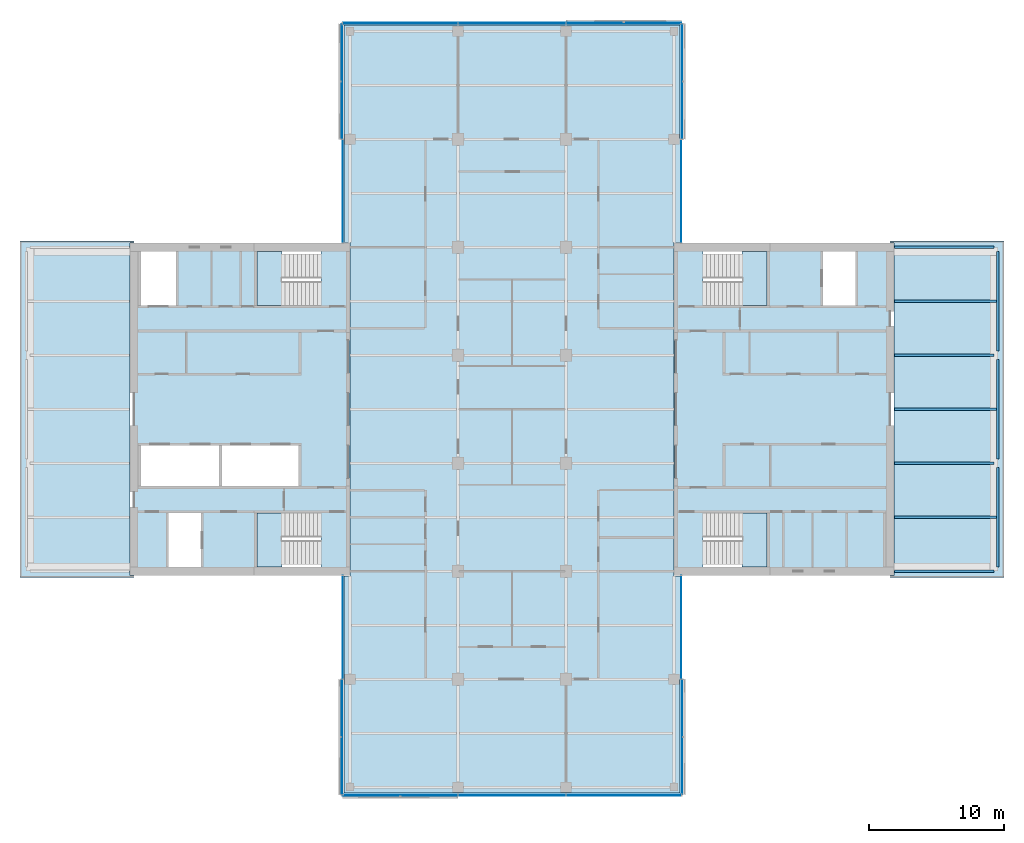
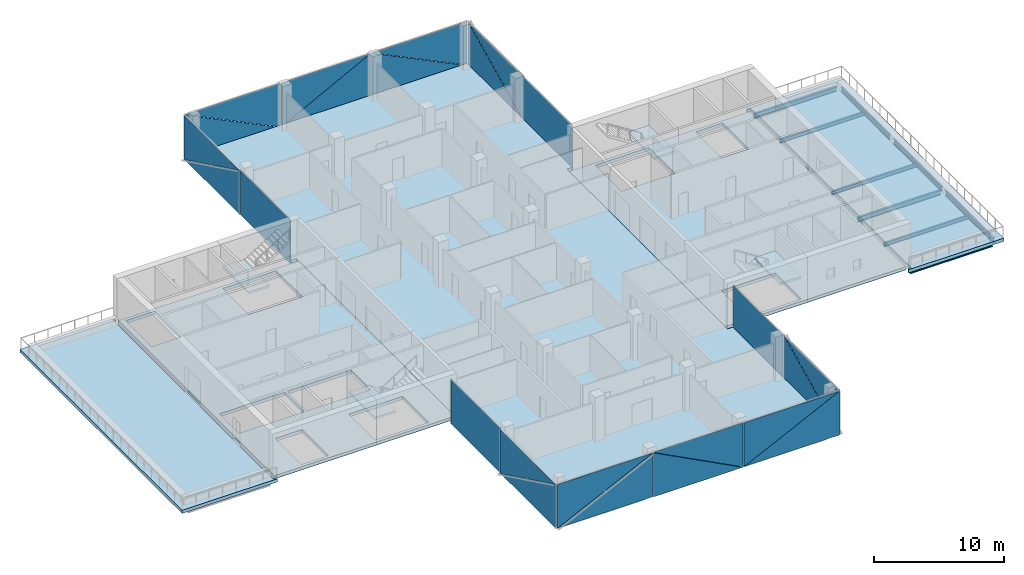
# One storey, part 10 of 18: 24 plates, 10 beams, 9 slabs, 14 elements without a shape of their own.
"""IFC4 building model written with IfcOpenShell, lengths in metres."""

from ifc_helpers import new_model, si_unit, direction, frame, origin, origin_2d, place, context, subcontext, project, spatial, polyline, i_section, outline, extrude, material, layer, layer_set, material_profile, profile_set, type_object, element, aggregate, save


model = new_model("IFC4")

# Units and contexts
model_context = context("Model", 3, precision=1e-05, world=origin(), true_north=direction((0.0, 1.0)))
body_context = subcontext(model_context, "Body", "Model", "MODEL_VIEW")
ifc_project = project(units=[si_unit("LENGTHUNIT", "METRE"), si_unit("AREAUNIT", "SQUARE_METRE"), si_unit("VOLUMEUNIT", "CUBIC_METRE"), si_unit("PLANEANGLEUNIT", "RADIAN"), si_unit("MASSUNIT", "GRAM", prefix="KILO")], contexts=[model_context])

# Site, building, storey
site_placement = place(None, origin())
site = spatial("IfcSite", under=ifc_project, at=site_placement, CompositionType="ELEMENT")
building_placement = place(site_placement, origin())
building = spatial("IfcBuilding", under=site, at=building_placement, Name="Crosswind Convention Tower", CompositionType="ELEMENT")
storey_placement = place(building_placement, frame((0.0, 0.0, 178.89990234375)))
storey = spatial("IfcBuildingStorey", under=building, at=storey_placement, Name="L37", CompositionType="ELEMENT", Elevation=178.89990234375)

# Beams
ifc_material_1 = material(Name="Steel S355", Category="steel")
ifc_material_profile_1 = material_profile(ifc_material_1, i_section(OverallWidth=0.18994140625, OverallDepth=0.45361328125, WebThickness=0.008544921875, FlangeThickness=0.0126953125, FilletRadius=0.01025390625, at=origin_2d()), Name="UB 457x191x67")
ifc_profile_set_1 = profile_set([ifc_material_profile_1], Name="Steel S355")
beam_type_1 = type_object("IfcBeamType", Name="Edge beam UB 457x191x67", PredefinedType="SPANDREL", material=ifc_profile_set_1)
for number, where, z_axis, x_axis, name in (
    (1, (153.35009765625, 88.0, -0.526611328125), (1.0, 0.0, 0.0), (0.0, 1.0, 0.0), "B16 L37 edge beam 20"),
    (2, (153.35009765625, 112.0, -0.526611328125), (1.0, 0.0, 0.0), (0.0, 1.0, 0.0), "B16 L37 edge beam 21"),
):
    element("IfcBeam", number, at=place(storey_placement, frame(where, z_axis=z_axis, x_axis=x_axis)), inside=storey, type_object=beam_type_1, Name=name, PredefinedType="SPANDREL", context=body_context, shape_type="SweptSolid", body=[
        extrude(i_section(OverallWidth=0.18994140625, OverallDepth=0.45361328125, WebThickness=0.008544921875, FlangeThickness=0.0126953125, FilletRadius=0.01025390625, at=origin_2d()), origin(), (0.0, 0.0, 1.0), 7.349853515625),
    ])
for number, where, z_axis, x_axis, name in (
    (3, (161.0, 88.300048828125, -0.526611328125), (0.0, 1.0, 0.0), (-1.0, 0.0, 0.0), "B16 L37 edge beam 22"),
    (4, (161.0, 96.300048828125, -0.526611328125), (0.0, 1.0, 0.0), (-1.0, 0.0, 0.0), "B16 L37 edge beam 23"),
    (5, (161.0, 104.300048828125, -0.526611328125), (0.0, 1.0, 0.0), (-1.0, 0.0, 0.0), "B16 L37 edge beam 24"),
):
    element("IfcBeam", number, at=place(storey_placement, frame(where, z_axis=z_axis, x_axis=x_axis)), inside=storey, type_object=beam_type_1, Name=name, PredefinedType="SPANDREL", context=body_context, shape_type="SweptSolid", body=[
        extrude(i_section(OverallWidth=0.18994140625, OverallDepth=0.45361328125, WebThickness=0.008544921875, FlangeThickness=0.0126953125, FilletRadius=0.01025390625, at=origin_2d()), origin(), (0.0, 0.0, 1.0), 7.39990234375),
    ])
ifc_material_profile_2 = material_profile(ifc_material_1, i_section(OverallWidth=0.19140625, OverallDepth=0.460205078125, WebThickness=0.010009765625, FlangeThickness=0.01611328125, FilletRadius=0.01025390625, at=origin_2d()), Name="UB 457x191x82")
ifc_profile_set_2 = profile_set([ifc_material_profile_2], Name="Steel S355")
beam_type_2 = type_object("IfcBeamType", Name="Girder at core wall UB 457x191x82", PredefinedType="BEAM", material=ifc_profile_set_2)
for number, where, z_axis, x_axis, name in (
    (6, (153.35009765625, 96.0, -0.530029296875), (1.0, 0.0, 0.0), (0.0, 1.0, 0.0), "B23 L37 girder at core wall 11"),
    (7, (153.35009765625, 104.0, -0.530029296875), (1.0, 0.0, 0.0), (0.0, 1.0, 0.0), "B23 L37 girder at core wall 12"),
):
    element("IfcBeam", number, at=place(storey_placement, frame(where, z_axis=z_axis, x_axis=x_axis)), inside=storey, type_object=beam_type_2, Name=name, PredefinedType="BEAM", context=body_context, shape_type="SweptSolid", body=[
        extrude(i_section(OverallWidth=0.19140625, OverallDepth=0.460205078125, WebThickness=0.010009765625, FlangeThickness=0.01611328125, FilletRadius=0.01025390625, at=origin_2d()), origin(), (0.0, 0.0, 1.0), 7.349853515625),
    ])
ifc_material_profile_3 = material_profile(ifc_material_1, i_section(OverallWidth=0.172119140625, OverallDepth=0.358642578125, WebThickness=0.008056640625, FlangeThickness=0.012939453125, FilletRadius=0.01025390625, at=origin_2d()), Name="UB 356x171x57")
ifc_profile_set_3 = profile_set([ifc_material_profile_3], Name="Steel S355")
beam_type_3 = type_object("IfcBeamType", Name="Secondary beam UB 356x171x57", PredefinedType="JOIST", material=ifc_profile_set_3)
for number, where, z_axis, x_axis, name in (
    (8, (153.35009765625, 92.0, -0.479248046875), (1.0, 0.0, 0.0), (0.0, 1.0, 0.0), "B9 L37 secondary beam 25"),
    (9, (153.35009765625, 100.0, -0.479248046875), (1.0, 0.0, 0.0), (0.0, 1.0, 0.0), "B9 L37 secondary beam 26"),
    (10, (153.35009765625, 108.0, -0.479248046875), (1.0, 0.0, 0.0), (0.0, 1.0, 0.0), "B9 L37 secondary beam 27"),
):
    element("IfcBeam", number, at=place(storey_placement, frame(where, z_axis=z_axis, x_axis=x_axis)), inside=storey, type_object=beam_type_3, Name=name, PredefinedType="JOIST", context=body_context, shape_type="SweptSolid", body=[
        extrude(i_section(OverallWidth=0.172119140625, OverallDepth=0.358642578125, WebThickness=0.008056640625, FlangeThickness=0.012939453125, FilletRadius=0.01025390625, at=origin_2d()), origin(), (0.0, 0.0, 1.0), 7.554931640625),
    ])

# Slabs
ifc_material_2 = material(Name="Concrete C40/50", Category="concrete")
ifc_layer_1 = layer(ifc_material_2, 0.300048828125)
ifc_layer_set_1 = layer_set([ifc_layer_1], Name="Concrete C40/50")
slab_type_1 = type_object("IfcSlabType", Name="Composite floor slab 300", PredefinedType="FLOOR", material=ifc_layer_set_1)
slab_1_placement = place(storey_placement, frame((0.0, 0.0, -0.2998046875)))
element("IfcSlab", 11, at=slab_1_placement, inside=storey, type_object=slab_type_1, Name="Floor slab L37", PredefinedType="FLOOR", context=body_context, shape_type="SweptSolid", body=[
    extrude(outline(polyline([(137.449951171875, 71.550048828125), (137.0, 71.550048828125), (113.0, 71.550048828125), (112.550048828125, 71.550048828125), (112.550048828125, 72.0), (112.550048828125, 87.64990234375), (113.0, 87.64990234375), (113.0, 112.35009765625), (112.550048828125, 112.35009765625), (112.550048828125, 128.0), (112.550048828125, 128.449951171875), (113.0, 128.449951171875), (137.0, 128.449951171875), (137.449951171875, 128.449951171875), (137.449951171875, 128.0), (137.449951171875, 112.35009765625), (137.0, 112.35009765625), (137.0, 87.64990234375), (137.449951171875, 87.64990234375), (137.449951171875, 72.0), (137.449951171875, 71.550048828125)])), origin(), (0.0, 0.0, 1.0), 0.2998046875),
])
ifc_layer_2 = layer(ifc_material_2, 0.300048828125)
ifc_layer_set_2 = layer_set([ifc_layer_2], Name="Concrete C40/50")
slab_type_2 = type_object("IfcSlabType", Name="Concrete core floor slab 300", PredefinedType="FLOOR", material=ifc_layer_set_2)
slab_2_placement = place(storey_placement, frame((0.0, 0.0, -0.2998046875)))
element("IfcSlab", 12, at=slab_2_placement, inside=storey, type_object=slab_type_2, Name="Core floor slab E L37", PredefinedType="FLOOR", context=body_context, shape_type="SweptSolid", body=[
    extrude(outline(polyline([(137.0, 88.0), (153.0, 88.0), (153.0, 112.0), (137.0, 112.0), (137.0, 88.0)]), holes=[polyline([(150.449951171875, 107.699951171875), (150.449951171875, 111.699951171875), (148.050048828125, 111.699951171875), (148.050048828125, 107.699951171875), (150.449951171875, 107.699951171875)]), polyline([(143.89990234375, 107.699951171875), (143.89990234375, 111.699951171875), (139.14990234375, 111.699951171875), (139.14990234375, 107.699951171875), (143.89990234375, 107.699951171875)]), polyline([(143.89990234375, 88.300048828125), (143.89990234375, 92.300048828125), (139.14990234375, 92.300048828125), (139.14990234375, 88.300048828125), (143.89990234375, 88.300048828125)])]), origin(), (0.0, 0.0, 1.0), 0.2998046875),
])
slab_3_placement = place(storey_placement, frame((0.0, 0.0, -0.2998046875)))
element("IfcSlab", 13, at=slab_3_placement, inside=storey, type_object=slab_type_2, Name="Core floor slab W L37", PredefinedType="FLOOR", context=body_context, shape_type="SweptSolid", body=[
    extrude(outline(polyline([(97.0, 88.0), (113.0, 88.0), (113.0, 112.0), (97.0, 112.0), (97.0, 88.0)]), holes=[polyline([(109.199951171875, 94.300048828125), (109.199951171875, 97.300048828125), (103.5, 97.300048828125), (103.5, 94.300048828125), (109.199951171875, 94.300048828125)]), polyline([(103.300048828125, 94.300048828125), (103.300048828125, 97.300048828125), (97.5, 97.300048828125), (97.5, 94.300048828125), (103.300048828125, 94.300048828125)]), polyline([(101.949951171875, 88.300048828125), (101.949951171875, 92.300048828125), (99.550048828125, 92.300048828125), (99.550048828125, 88.300048828125), (101.949951171875, 88.300048828125)]), polyline([(100.10009765625, 107.699951171875), (100.10009765625, 111.699951171875), (97.5, 111.699951171875), (97.5, 107.699951171875), (100.10009765625, 107.699951171875)]), polyline([(110.85009765625, 88.300048828125), (110.85009765625, 92.300048828125), (106.10009765625, 92.300048828125), (106.10009765625, 88.300048828125), (110.85009765625, 88.300048828125)]), polyline([(110.85009765625, 107.699951171875), (110.85009765625, 111.699951171875), (106.10009765625, 111.699951171875), (106.10009765625, 107.699951171875), (110.85009765625, 107.699951171875)])]), origin(), (0.0, 0.0, 1.0), 0.2998046875),
])

# Stair, slab
stair_type = type_object("IfcStairType", Name="Exit stair 1800 wide, 2 flights of 11 risers", PredefinedType="HALF_TURN_STAIR", material=ifc_material_2)
stair_1_placement = place(storey_placement, origin())
stair_1 = element("IfcStair", 14, at=stair_1_placement, inside=storey, type_object=stair_type, Name="Exit stair ST1 L37", ObjectType="ST5", PredefinedType="HALF_TURN_STAIR")
ifc_layer_3 = layer(ifc_material_2, 0.199951171875)
ifc_layer_set_3 = layer_set([ifc_layer_3], Name="Concrete C40/50")
slab_type_3 = type_object("IfcSlabType", Name="Stair landing 200", PredefinedType="LANDING", material=ifc_layer_set_3)
slab_4_placement = place(storey_placement, frame((0.0, 0.0, 1.900146484375)))
slab_4 = element("IfcSlab", 15, at=slab_4_placement, type_object=slab_type_3, Name="ST1 landing 1", PredefinedType="LANDING", context=body_context, shape_type="SweptSolid", body=[
    extrude(outline(polyline([(143.89990234375, 107.699951171875), (143.89990234375, 111.699951171875), (142.050048828125, 111.699951171875), (142.050048828125, 107.699951171875), (143.89990234375, 107.699951171875)])), origin(), (0.0, 0.0, 1.0), 0.199951171875),
])
aggregate(stair_1, [slab_4])

stair_2_placement = place(storey_placement, origin())
stair_2 = element("IfcStair", 16, at=stair_2_placement, inside=storey, type_object=stair_type, Name="Exit stair ST2 L37", ObjectType="ST5", PredefinedType="HALF_TURN_STAIR")
slab_5_placement = place(storey_placement, frame((0.0, 0.0, 1.900146484375)))
slab_5 = element("IfcSlab", 17, at=slab_5_placement, type_object=slab_type_3, Name="ST2 landing 1", PredefinedType="LANDING", context=body_context, shape_type="SweptSolid", body=[
    extrude(outline(polyline([(143.89990234375, 88.300048828125), (143.89990234375, 92.300048828125), (142.050048828125, 92.300048828125), (142.050048828125, 88.300048828125), (143.89990234375, 88.300048828125)])), origin(), (0.0, 0.0, 1.0), 0.199951171875),
])
aggregate(stair_2, [slab_5])

stair_3_placement = place(storey_placement, origin())
stair_3 = element("IfcStair", 18, at=stair_3_placement, inside=storey, type_object=stair_type, Name="Exit stair ST3 L37", ObjectType="ST5", PredefinedType="HALF_TURN_STAIR")
slab_6_placement = place(storey_placement, frame((0.0, 0.0, 1.900146484375)))
slab_6 = element("IfcSlab", 19, at=slab_6_placement, type_object=slab_type_3, Name="ST3 landing 1", PredefinedType="LANDING", context=body_context, shape_type="SweptSolid", body=[
    extrude(outline(polyline([(107.949951171875, 88.300048828125), (107.949951171875, 92.300048828125), (106.10009765625, 92.300048828125), (106.10009765625, 88.300048828125), (107.949951171875, 88.300048828125)])), origin(), (0.0, 0.0, 1.0), 0.199951171875),
])
aggregate(stair_3, [slab_6])

stair_4_placement = place(storey_placement, origin())
stair_4 = element("IfcStair", 20, at=stair_4_placement, inside=storey, type_object=stair_type, Name="Exit stair ST4 L37", ObjectType="ST5", PredefinedType="HALF_TURN_STAIR")
slab_7_placement = place(storey_placement, frame((0.0, 0.0, 1.900146484375)))
slab_7 = element("IfcSlab", 21, at=slab_7_placement, type_object=slab_type_3, Name="ST4 landing 1", PredefinedType="LANDING", context=body_context, shape_type="SweptSolid", body=[
    extrude(outline(polyline([(107.949951171875, 107.699951171875), (107.949951171875, 111.699951171875), (106.10009765625, 111.699951171875), (106.10009765625, 107.699951171875), (107.949951171875, 107.699951171875)])), origin(), (0.0, 0.0, 1.0), 0.199951171875),
])
aggregate(stair_4, [slab_7])

# Slabs
ifc_layer_4 = layer(ifc_material_2, 0.300048828125)
ifc_layer_set_4 = layer_set([ifc_layer_4], Name="Concrete C40/50")
slab_type_4 = type_object("IfcSlabType", Name="TERRACE SLAB 300", PredefinedType="USERDEFINED", material=ifc_layer_set_4)
slab_8_placement = place(storey_placement, frame((0.0, 0.0, -0.2998046875)))
element("IfcSlab", 22, at=slab_8_placement, inside=storey, type_object=slab_type_4, Name="Terrace L37 W", ObjectType="TERRACE", PredefinedType="USERDEFINED", context=body_context, shape_type="SweptSolid", body=[
    extrude(outline(polyline([(88.550048828125, 87.550048828125), (88.550048828125, 88.0), (88.550048828125, 112.0), (88.550048828125, 112.449951171875), (89.0, 112.449951171875), (97.0, 112.449951171875), (97.0, 112.300048828125), (96.699951171875, 112.300048828125), (96.699951171875, 87.699951171875), (97.0, 87.699951171875), (97.0, 87.550048828125), (89.0, 87.550048828125), (88.550048828125, 87.550048828125)])), origin(), (0.0, 0.0, 1.0), 0.2998046875),
])
slab_9_placement = place(storey_placement, frame((0.0, 0.0, -0.2998046875)))
element("IfcSlab", 23, at=slab_9_placement, inside=storey, type_object=slab_type_4, Name="Terrace L37 E", ObjectType="TERRACE", PredefinedType="USERDEFINED", context=body_context, shape_type="SweptSolid", body=[
    extrude(outline(polyline([(161.449951171875, 112.449951171875), (161.449951171875, 112.0), (161.449951171875, 88.0), (161.449951171875, 87.550048828125), (161.0, 87.550048828125), (153.0, 87.550048828125), (153.0, 87.699951171875), (153.300048828125, 87.699951171875), (153.300048828125, 112.300048828125), (153.0, 112.300048828125), (153.0, 112.449951171875), (161.0, 112.449951171875), (161.449951171875, 112.449951171875)])), origin(), (0.0, 0.0, 1.0), 0.2998046875),
])

# Curtain wall, plate
ifc_material_3 = material(Name="Aluminium unitised curtain wall", Category="aluminium")
curtain_wall_type_1 = type_object("IfcCurtainWallType", Name="CORE END SLOT WALL 160", PredefinedType="USERDEFINED", material=ifc_material_3)
curtain_wall_1_placement = place(storey_placement, origin())
curtain_wall_1 = element("IfcCurtainWall", 24, at=curtain_wall_1_placement, inside=storey, type_object=curtain_wall_type_1, Name="CW6 L37 N-E.1-1 slot", ObjectType="UNITISED", PredefinedType="USERDEFINED")
ifc_material_4 = material(Name="Laminated insulating glass unit", Category="glass")
ifc_layer_5 = layer(ifc_material_4, 0.02587890625)
ifc_layer_set_5 = layer_set([ifc_layer_5], Name="TRIANGULAR GLASS PANEL 26")
plate_type_1 = type_object("IfcPlateType", Name="TRIANGULAR GLASS PANEL 26", PredefinedType="CURTAIN_PANEL", material=ifc_layer_set_5)
plate_1_placement = place(storey_placement, frame((137.556884765625, 112.35009765625, -0.2998046875), z_axis=(0.999999915205, 0.0, 0.00041181312), x_axis=(0.0, 1.0, 0.0)))
plate_1 = element("IfcPlate", 25, at=plate_1_placement, type_object=plate_type_1, Name="CW6 panel 1.1", PredefinedType="CURTAIN_PANEL", context=body_context, shape_type="SweptSolid", body=[
    extrude(outline(polyline([(0.0, 0.0), (7.599853515625, 0.0), (7.599853515625, 4.149902695641109), (0.0, 4.149902695641109), (0.0, 0.0)])), origin(), (0.0, 0.0, -1.0), 0.02587890625),
])
aggregate(curtain_wall_1, [plate_1])

curtain_wall_2_placement = place(storey_placement, origin())
curtain_wall_2 = element("IfcCurtainWall", 26, at=curtain_wall_2_placement, inside=storey, type_object=curtain_wall_type_1, Name="CW6 L37 N-W.1-2 slot", ObjectType="UNITISED", PredefinedType="USERDEFINED")
plate_2_placement = place(storey_placement, frame((112.443115234375, 119.949951171875, -0.2998046875), z_axis=(-0.999999915205, 0.0, 0.00041181312), x_axis=(0.0, -1.0, 0.0)))
plate_2 = element("IfcPlate", 27, at=plate_2_placement, type_object=plate_type_1, Name="CW6 panel 1.1", PredefinedType="CURTAIN_PANEL", context=body_context, shape_type="SweptSolid", body=[
    extrude(outline(polyline([(0.0, 0.0), (7.599853515625, 0.0), (7.599853515625, 4.149902695641109), (0.0, 4.149902695641109), (0.0, 0.0)])), origin(), (0.0, 0.0, -1.0), 0.02587890625),
])
aggregate(curtain_wall_2, [plate_2])

curtain_wall_3_placement = place(storey_placement, origin())
curtain_wall_3 = element("IfcCurtainWall", 28, at=curtain_wall_3_placement, inside=storey, type_object=curtain_wall_type_1, Name="CW6 L37 S-W.1-1 slot", ObjectType="UNITISED", PredefinedType="USERDEFINED")
plate_3_placement = place(storey_placement, frame((112.443115234375, 87.64990234375, -0.2998046875), z_axis=(-0.999999915205, 0.0, 0.00041181312), x_axis=(0.0, -1.0, 0.0)))
plate_3 = element("IfcPlate", 29, at=plate_3_placement, type_object=plate_type_1, Name="CW6 panel 1.1", PredefinedType="CURTAIN_PANEL", context=body_context, shape_type="SweptSolid", body=[
    extrude(outline(polyline([(0.0, 0.0), (7.599853515625, 0.0), (7.599853515625, 4.149902695641109), (0.0, 4.149902695641109), (0.0, 0.0)])), origin(), (0.0, 0.0, -1.0), 0.02587890625),
])
aggregate(curtain_wall_3, [plate_3])

curtain_wall_4_placement = place(storey_placement, origin())
curtain_wall_4 = element("IfcCurtainWall", 30, at=curtain_wall_4_placement, inside=storey, type_object=curtain_wall_type_1, Name="CW6 L37 S-E.1-2 slot", ObjectType="UNITISED", PredefinedType="USERDEFINED")
plate_4_placement = place(storey_placement, frame((137.556884765625, 80.050048828125, -0.2998046875), z_axis=(0.999999915205, 0.0, 0.00041181312), x_axis=(0.0, 1.0, 0.0)))
plate_4 = element("IfcPlate", 31, at=plate_4_placement, type_object=plate_type_1, Name="CW6 panel 1.1", PredefinedType="CURTAIN_PANEL", context=body_context, shape_type="SweptSolid", body=[
    extrude(outline(polyline([(0.0, 0.0), (7.599853515625, 0.0), (7.599853515625, 4.149902695641109), (0.0, 4.149902695641109), (0.0, 0.0)])), origin(), (0.0, 0.0, -1.0), 0.02587890625),
])
aggregate(curtain_wall_4, [plate_4])

# Curtain wall, plates
curtain_wall_type_2 = type_object("IfcCurtainWallType", Name="OFFICE UNITISED WALL 220", PredefinedType="USERDEFINED", material=ifc_material_3)
curtain_wall_5_placement = place(storey_placement, origin())
curtain_wall_5 = element("IfcCurtainWall", 32, at=curtain_wall_5_placement, inside=storey, type_object=curtain_wall_type_2, Name="CW3 L37 N-E 1", ObjectType="UNITISED", PredefinedType="USERDEFINED")
ifc_layer_6 = layer(ifc_material_4, 0.031982421875)
ifc_layer_set_6 = layer_set([ifc_layer_6], Name="TRIANGULAR GLASS PANEL 32")
plate_type_2 = type_object("IfcPlateType", Name="TRIANGULAR GLASS PANEL 32", PredefinedType="CURTAIN_PANEL", material=ifc_layer_set_6)
plate_5_placement = place(storey_placement, frame((137.5927734375, 128.52490234375, -0.2998046875), z_axis=(0.999999913924, 0.0, 0.000414913129), x_axis=(-0.000414913129, 0.0, 0.999999913924)))
plate_5 = element("IfcPlate", 33, at=plate_5_placement, type_object=plate_type_2, Name="CW3 panel 1.1", PredefinedType="CURTAIN_PANEL", context=body_context, shape_type="SweptSolid", body=[
    extrude(outline(polyline([(0.0, 0.0), (4.118896838915043, 0.0), (0.0, 8.467041015624998), (0.0, 0.0)])), origin(), (0.0, 0.0, -1.0), 0.031982421875),
])
plate_6_placement = place(storey_placement, frame((137.625244140625, 120.034912109375, 3.830078125), z_axis=(0.99999993676, 0.0, 0.000355639833), x_axis=(0.000355639833, 0.0, -0.99999993676)))
plate_6 = element("IfcPlate", 34, at=plate_6_placement, type_object=plate_type_2, Name="CW3 panel 1.2", PredefinedType="CURTAIN_PANEL", context=body_context, shape_type="SweptSolid", body=[
    extrude(outline(polyline([(0.0, 0.0), (4.1188967448534015, 0.0), (0.0, 8.46728515625), (0.0, 0.0)])), origin(), (0.0, 0.0, -1.0), 0.031982421875),
])
aggregate(curtain_wall_5, [plate_5, plate_6])

curtain_wall_6_placement = place(storey_placement, origin())
curtain_wall_6 = element("IfcCurtainWall", 35, at=curtain_wall_6_placement, inside=storey, type_object=curtain_wall_type_2, Name="CW3 L37 N-TIP 1", ObjectType="UNITISED", PredefinedType="USERDEFINED")
plate_7_placement = place(storey_placement, frame((129.034912109375, 128.5927734375, -0.2998046875), z_axis=(0.0, 0.999999913924, 0.000414913129), x_axis=(0.0, -0.000414913129, 0.999999913924)))
plate_7 = element("IfcPlate", 36, at=plate_7_placement, type_object=plate_type_2, Name="CW3 panel 1.1", PredefinedType="CURTAIN_PANEL", context=body_context, shape_type="SweptSolid", body=[
    extrude(outline(polyline([(0.0, 0.0), (4.118896838915043, 0.0), (0.0, 8.467285156249998), (0.0, 0.0)])), origin(), (0.0, 0.0, -1.0), 0.031982421875),
])
plate_8_placement = place(storey_placement, frame((137.52490234375, 128.625244140625, 3.830078125), z_axis=(0.0, 0.99999993676, 0.000355639833), x_axis=(0.0, 0.000355639833, -0.99999993676)))
plate_8 = element("IfcPlate", 37, at=plate_8_placement, type_object=plate_type_2, Name="CW3 panel 1.2", PredefinedType="CURTAIN_PANEL", context=body_context, shape_type="SweptSolid", body=[
    extrude(outline(polyline([(0.0, 0.0), (4.1188967448534015, 0.0), (0.0, 8.467041015625), (0.0, 0.0)])), origin(), (0.0, 0.0, -1.0), 0.031982421875),
])
plate_9_placement = place(storey_placement, frame((121.034912109375, 128.591064453125, 3.830078125), z_axis=(0.0, 0.999999913913, 0.000414937724), x_axis=(1.0, 0.0, 0.0)))
plate_9 = element("IfcPlate", 38, at=plate_9_placement, type_object=plate_type_2, Name="CW3 panel 2.1", PredefinedType="CURTAIN_PANEL", context=body_context, shape_type="SweptSolid", body=[
    extrude(outline(polyline([(0.0, 0.0), (7.908447265625, 0.0), (0.0, 4.118652698311059), (0.0, 0.0)])), origin(), (0.0, 0.0, -1.0), 0.031982421875),
])
plate_10_placement = place(storey_placement, frame((128.965087890625, 128.626708984375, -0.2998046875), z_axis=(0.0, 0.999999936753, 0.000355660914), x_axis=(-1.0, 0.0, 0.0)))
plate_10 = element("IfcPlate", 39, at=plate_10_placement, type_object=plate_type_2, Name="CW3 panel 2.2", PredefinedType="CURTAIN_PANEL", context=body_context, shape_type="SweptSolid", body=[
    extrude(outline(polyline([(0.0, 0.0), (7.908447265625, 0.0), (0.0, 4.118652604243842), (0.0, 0.0)])), origin(), (0.0, 0.0, -1.0), 0.031982421875),
])
plate_11_placement = place(storey_placement, frame((112.47509765625, 128.5927734375, -0.2998046875), z_axis=(0.0, 0.999999913924, 0.000414913129), x_axis=(0.0, -0.000414913129, 0.999999913924)))
plate_11 = element("IfcPlate", 40, at=plate_11_placement, type_object=plate_type_2, Name="CW3 panel 3.1", PredefinedType="CURTAIN_PANEL", context=body_context, shape_type="SweptSolid", body=[
    extrude(outline(polyline([(0.0, 0.0), (4.118896838915043, 0.0), (0.0, 8.467041015624998), (0.0, 0.0)])), origin(), (0.0, 0.0, -1.0), 0.031982421875),
])
plate_12_placement = place(storey_placement, frame((120.965087890625, 128.625244140625, 3.830078125), z_axis=(0.0, 0.99999993676, 0.000355639833), x_axis=(0.0, 0.000355639833, -0.99999993676)))
plate_12 = element("IfcPlate", 41, at=plate_12_placement, type_object=plate_type_2, Name="CW3 panel 3.2", PredefinedType="CURTAIN_PANEL", context=body_context, shape_type="SweptSolid", body=[
    extrude(outline(polyline([(0.0, 0.0), (4.1188967448534015, 0.0), (0.0, 8.46728515625), (0.0, 0.0)])), origin(), (0.0, 0.0, -1.0), 0.031982421875),
])
aggregate(curtain_wall_6, [plate_7, plate_8, plate_9, plate_10, plate_11, plate_12])

curtain_wall_7_placement = place(storey_placement, origin())
curtain_wall_7 = element("IfcCurtainWall", 42, at=curtain_wall_7_placement, inside=storey, type_object=curtain_wall_type_2, Name="CW3 L37 N-W 1", ObjectType="UNITISED", PredefinedType="USERDEFINED")
plate_13_placement = place(storey_placement, frame((112.4072265625, 120.034912109375, -0.2998046875), z_axis=(-0.999999913924, 0.0, 0.000414913129), x_axis=(0.000414913129, 0.0, 0.999999913924)))
plate_13 = element("IfcPlate", 43, at=plate_13_placement, type_object=plate_type_2, Name="CW3 panel 1.1", PredefinedType="CURTAIN_PANEL", context=body_context, shape_type="SweptSolid", body=[
    extrude(outline(polyline([(0.0, 0.0), (4.118896838915043, 0.0), (0.0, 8.467285156249998), (0.0, 0.0)])), origin(), (0.0, 0.0, -1.0), 0.031982421875),
])
plate_14_placement = place(storey_placement, frame((112.374755859375, 128.52490234375, 3.830078125), z_axis=(-0.99999993676, 0.0, 0.000355639833), x_axis=(-0.000355639833, 0.0, -0.99999993676)))
plate_14 = element("IfcPlate", 44, at=plate_14_placement, type_object=plate_type_2, Name="CW3 panel 1.2", PredefinedType="CURTAIN_PANEL", context=body_context, shape_type="SweptSolid", body=[
    extrude(outline(polyline([(0.0, 0.0), (4.1188967448534015, 0.0), (0.0, 8.467041015625), (0.0, 0.0)])), origin(), (0.0, 0.0, -1.0), 0.031982421875),
])
aggregate(curtain_wall_7, [plate_13, plate_14])

curtain_wall_8_placement = place(storey_placement, origin())
curtain_wall_8 = element("IfcCurtainWall", 45, at=curtain_wall_8_placement, inside=storey, type_object=curtain_wall_type_2, Name="CW3 L37 S-W 1", ObjectType="UNITISED", PredefinedType="USERDEFINED")
plate_15_placement = place(storey_placement, frame((112.4072265625, 71.47509765625, -0.2998046875), z_axis=(-0.999999913924, 0.0, 0.000414913129), x_axis=(0.000414913129, 0.0, 0.999999913924)))
plate_15 = element("IfcPlate", 46, at=plate_15_placement, type_object=plate_type_2, Name="CW3 panel 1.1", PredefinedType="CURTAIN_PANEL", context=body_context, shape_type="SweptSolid", body=[
    extrude(outline(polyline([(0.0, 0.0), (4.118896838915043, 0.0), (0.0, 8.467041015624998), (0.0, 0.0)])), origin(), (0.0, 0.0, -1.0), 0.031982421875),
])
plate_16_placement = place(storey_placement, frame((112.374755859375, 79.965087890625, 3.830078125), z_axis=(-0.99999993676, 0.0, 0.000355639833), x_axis=(-0.000355639833, 0.0, -0.99999993676)))
plate_16 = element("IfcPlate", 47, at=plate_16_placement, type_object=plate_type_2, Name="CW3 panel 1.2", PredefinedType="CURTAIN_PANEL", context=body_context, shape_type="SweptSolid", body=[
    extrude(outline(polyline([(0.0, 0.0), (4.1188967448534015, 0.0), (0.0, 8.46728515625), (0.0, 0.0)])), origin(), (0.0, 0.0, -1.0), 0.031982421875),
])
aggregate(curtain_wall_8, [plate_15, plate_16])

curtain_wall_9_placement = place(storey_placement, origin())
curtain_wall_9 = element("IfcCurtainWall", 48, at=curtain_wall_9_placement, inside=storey, type_object=curtain_wall_type_2, Name="CW3 L37 S-TIP 1", ObjectType="UNITISED", PredefinedType="USERDEFINED")
plate_17_placement = place(storey_placement, frame((120.965087890625, 71.4072265625, -0.2998046875), z_axis=(0.0, -0.999999913924, 0.000414913129), x_axis=(0.0, 0.000414913129, 0.999999913924)))
plate_17 = element("IfcPlate", 49, at=plate_17_placement, type_object=plate_type_2, Name="CW3 panel 1.1", PredefinedType="CURTAIN_PANEL", context=body_context, shape_type="SweptSolid", body=[
    extrude(outline(polyline([(0.0, 0.0), (4.118896838915043, 0.0), (0.0, 8.467285156249998), (0.0, 0.0)])), origin(), (0.0, 0.0, -1.0), 0.031982421875),
])
plate_18_placement = place(storey_placement, frame((112.47509765625, 71.374755859375, 3.830078125), z_axis=(0.0, -0.99999993676, 0.000355639833), x_axis=(0.0, -0.000355639833, -0.99999993676)))
plate_18 = element("IfcPlate", 50, at=plate_18_placement, type_object=plate_type_2, Name="CW3 panel 1.2", PredefinedType="CURTAIN_PANEL", context=body_context, shape_type="SweptSolid", body=[
    extrude(outline(polyline([(0.0, 0.0), (4.1188967448534015, 0.0), (0.0, 8.467041015625), (0.0, 0.0)])), origin(), (0.0, 0.0, -1.0), 0.031982421875),
])
plate_19_placement = place(storey_placement, frame((128.965087890625, 71.408935546875, 3.830078125), z_axis=(0.0, -0.999999913913, 0.000414937724), x_axis=(-1.0, 0.0, 0.0)))
plate_19 = element("IfcPlate", 51, at=plate_19_placement, type_object=plate_type_2, Name="CW3 panel 2.1", PredefinedType="CURTAIN_PANEL", context=body_context, shape_type="SweptSolid", body=[
    extrude(outline(polyline([(0.0, 0.0), (7.908447265625, 0.0), (0.0, 4.118652698311059), (0.0, 0.0)])), origin(), (0.0, 0.0, -1.0), 0.031982421875),
])
plate_20_placement = place(storey_placement, frame((121.034912109375, 71.373291015625, -0.2998046875), z_axis=(0.0, -0.999999936753, 0.000355660914), x_axis=(1.0, 0.0, 0.0)))
plate_20 = element("IfcPlate", 52, at=plate_20_placement, type_object=plate_type_2, Name="CW3 panel 2.2", PredefinedType="CURTAIN_PANEL", context=body_context, shape_type="SweptSolid", body=[
    extrude(outline(polyline([(0.0, 0.0), (7.908447265625, 0.0), (0.0, 4.118652604243842), (0.0, 0.0)])), origin(), (0.0, 0.0, -1.0), 0.031982421875),
])
plate_21_placement = place(storey_placement, frame((137.52490234375, 71.4072265625, -0.2998046875), z_axis=(0.0, -0.999999913924, 0.000414913129), x_axis=(0.0, 0.000414913129, 0.999999913924)))
plate_21 = element("IfcPlate", 53, at=plate_21_placement, type_object=plate_type_2, Name="CW3 panel 3.1", PredefinedType="CURTAIN_PANEL", context=body_context, shape_type="SweptSolid", body=[
    extrude(outline(polyline([(0.0, 0.0), (4.118896838915043, 0.0), (0.0, 8.467041015624998), (0.0, 0.0)])), origin(), (0.0, 0.0, -1.0), 0.031982421875),
])
plate_22_placement = place(storey_placement, frame((129.034912109375, 71.374755859375, 3.830078125), z_axis=(0.0, -0.99999993676, 0.000355639833), x_axis=(0.0, -0.000355639833, -0.99999993676)))
plate_22 = element("IfcPlate", 54, at=plate_22_placement, type_object=plate_type_2, Name="CW3 panel 3.2", PredefinedType="CURTAIN_PANEL", context=body_context, shape_type="SweptSolid", body=[
    extrude(outline(polyline([(0.0, 0.0), (4.1188967448534015, 0.0), (0.0, 8.46728515625), (0.0, 0.0)])), origin(), (0.0, 0.0, -1.0), 0.031982421875),
])
aggregate(curtain_wall_9, [plate_17, plate_18, plate_19, plate_20, plate_21, plate_22])

curtain_wall_10_placement = place(storey_placement, origin())
curtain_wall_10 = element("IfcCurtainWall", 55, at=curtain_wall_10_placement, inside=storey, type_object=curtain_wall_type_2, Name="CW3 L37 S-E 1", ObjectType="UNITISED", PredefinedType="USERDEFINED")
plate_23_placement = place(storey_placement, frame((137.5927734375, 79.965087890625, -0.2998046875), z_axis=(0.999999913924, 0.0, 0.000414913129), x_axis=(-0.000414913129, 0.0, 0.999999913924)))
plate_23 = element("IfcPlate", 56, at=plate_23_placement, type_object=plate_type_2, Name="CW3 panel 1.1", PredefinedType="CURTAIN_PANEL", context=body_context, shape_type="SweptSolid", body=[
    extrude(outline(polyline([(0.0, 0.0), (4.118896838915043, 0.0), (0.0, 8.467285156249998), (0.0, 0.0)])), origin(), (0.0, 0.0, -1.0), 0.031982421875),
])
plate_24_placement = place(storey_placement, frame((137.625244140625, 71.47509765625, 3.830078125), z_axis=(0.99999993676, 0.0, 0.000355639833), x_axis=(0.000355639833, 0.0, -0.99999993676)))
plate_24 = element("IfcPlate", 57, at=plate_24_placement, type_object=plate_type_2, Name="CW3 panel 1.2", PredefinedType="CURTAIN_PANEL", context=body_context, shape_type="SweptSolid", body=[
    extrude(outline(polyline([(0.0, 0.0), (4.1188967448534015, 0.0), (0.0, 8.467041015625), (0.0, 0.0)])), origin(), (0.0, 0.0, -1.0), 0.031982421875),
])
aggregate(curtain_wall_10, [plate_23, plate_24])

save(model, "model.ifc")
